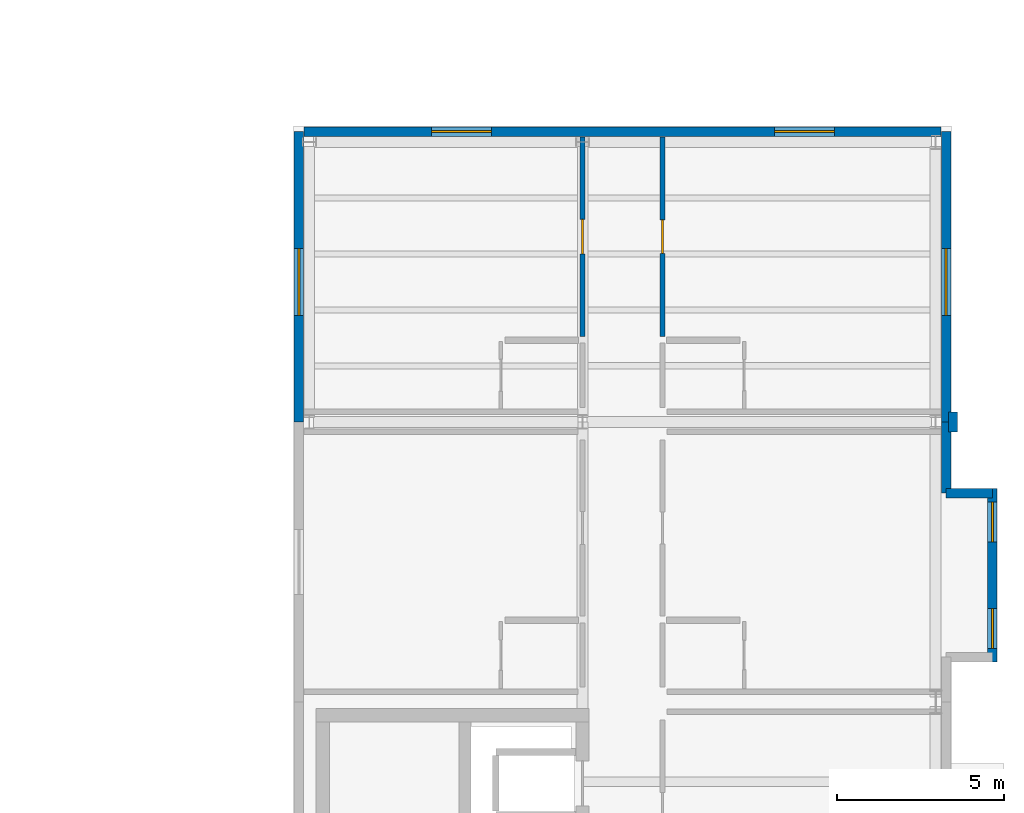
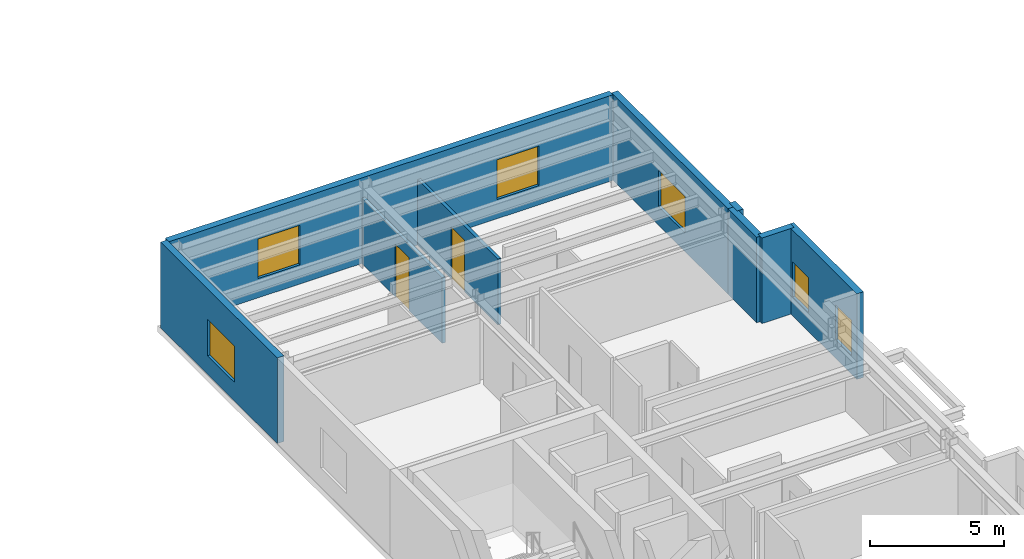
# One storey, part 39 of 46: 9 walls, 6 windows, 2 doors, 8 openings.
"""IFC4 building model written with IfcOpenShell, lengths in metres."""

from ifc_helpers import new_model, si_unit, direction, frame, frame_2d, origin, place, context, subcontext, project, spatial, rectangle, extrude, material, layer, layer_set, type_object, element, fill, save


model = new_model("IFC4")

# Units and contexts
model_context = context("Model", 3, precision=1e-05, world=origin(), true_north=direction((0.0, 1.0)))
body_context = subcontext(model_context, "Body", "Model", "MODEL_VIEW")
ifc_project = project(units=[si_unit("LENGTHUNIT", "METRE"), si_unit("AREAUNIT", "SQUARE_METRE"), si_unit("VOLUMEUNIT", "CUBIC_METRE"), si_unit("PLANEANGLEUNIT", "RADIAN"), si_unit("MASSUNIT", "GRAM", prefix="KILO")], contexts=[model_context])

# Site, building, storey
site_placement = place(None, origin())
site = spatial("IfcSite", under=ifc_project, at=site_placement, CompositionType="ELEMENT")
building_placement = place(site_placement, origin())
building = spatial("IfcBuilding", under=site, at=building_placement, Name="Sollismere Congress Hotel", CompositionType="ELEMENT")
storey_placement = place(building_placement, frame((0.0, 0.0, 19.5)))
storey = spatial("IfcBuildingStorey", under=building, at=storey_placement, Name="L04", CompositionType="ELEMENT", Elevation=19.5)

# Wall
ifc_material_1 = material(Name="Colorado Buff Sandstone Rainscreen on Insulated Backup", Category="masonry")
ifc_layer_1 = layer(ifc_material_1, 0.284912109375, Name="Colorado Buff Sandstone Rainscreen on Insulated Backup")
ifc_layer_set_1 = layer_set([ifc_layer_1], Name="Colorado Buff Sandstone Rainscreen on Insulated Backup")
wall_type_1 = type_object("IfcWallType", Name="WL-EXT285", PredefinedType="STANDARD", material=ifc_layer_set_1)
wall_1_placement = place(storey_placement, frame((166.31005859375, 56.260009765625, 0.0), z_axis=(0.0, 0.0, 1.0), x_axis=(0.0, 1.0, 0.0)))
element("IfcWall", 1, at=wall_1_placement, inside=storey, type_object=wall_type_1, Name="Exterior wall EW-L04-538", PredefinedType="STANDARD", context=body_context, shape_type="SweptSolid", body=[
    extrude(rectangle(XDim=2.139892578125, YDim=0.284912109375, at=frame_2d((1.06982421875, 0.0))), origin(), (0.0, 0.0, 1.0), 3.89990234375),
])

# Wall, openings, windows
wall_2_placement = place(storey_placement, frame((167.699951171875, 51.199951171875, 0.0), z_axis=(0.0, 0.0, 1.0), x_axis=(0.0, 1.0, 0.0)))
wall_2 = element("IfcWall", 2, at=wall_2_placement, inside=storey, type_object=wall_type_1, Name="Exterior wall EW-L04-539", PredefinedType="STANDARD", context=body_context, shape_type="SweptSolid", body=[
    extrude(rectangle(XDim=5.199951171875, YDim=0.284912109375, at=frame_2d((2.60009765625, 0.0))), origin(), (0.0, 0.0, 1.0), 3.89990234375),
])
opening_1_placement = place(wall_2_placement, frame((0.39990234375, 0.0, 0.85009765625)))
opening_1 = element("IfcOpeningElement", 3, at=opening_1_placement, cuts=wall_2, Name="Opening W-L04-403", PredefinedType="OPENING", context=body_context, shape_type="SweptSolid", body=[
    extrude(rectangle(XDim=1.199951171875, YDim=1.60009765625, at=frame_2d((0.60009765625, 0.800048828125))), frame((0.0, 0.15234375, 0.0), z_axis=(0.0, -1.0, 0.0), x_axis=(1.0, 0.0, 0.0)), (0.0, 0.0, 1.0), 0.304931640625),
])
opening_2_placement = place(wall_2_placement, frame((3.60009765625, 0.0, 0.85009765625)))
opening_2 = element("IfcOpeningElement", 4, at=opening_2_placement, cuts=wall_2, Name="Opening W-L04-404", PredefinedType="OPENING", context=body_context, shape_type="SweptSolid", body=[
    extrude(rectangle(XDim=1.199951171875, YDim=1.60009765625, at=frame_2d((0.60009765625, 0.800048828125))), frame((0.0, 0.15234375, 0.0), z_axis=(0.0, -1.0, 0.0), x_axis=(1.0, 0.0, 0.0)), (0.0, 0.0, 1.0), 0.304931640625),
])
ifc_material_2 = material(Name="Thermally Broken Bronze Aluminum & Low-E Glass", Category="aluminium")
window_type_1 = type_object("IfcWindowType", Name="WN-P120x160", PartitioningType="SINGLE_PANEL", PredefinedType="WINDOW", material=ifc_material_2)
window_1_placement = place(opening_1_placement, origin())
window_1 = element("IfcWindow", 5, at=window_1_placement, inside=storey, type_object=window_type_1, Name="WIN-W-L04-403", OverallHeight=1.60009765625, OverallWidth=1.199951171875, PartitioningType="SINGLE_PANEL", PredefinedType="WINDOW", context=body_context, shape_type="SweptSolid", body=[
    extrude(rectangle(XDim=1.199951171875, YDim=1.60009765625, at=frame_2d((0.60009765625, 0.800048828125))), frame((0.0, 0.030029296875, 0.0), z_axis=(0.0, -1.0, 0.0), x_axis=(1.0, 0.0, 0.0)), (0.0, 0.0, 1.0), 0.06005859375),
])
fill(opening_1, window_1)
window_2_placement = place(opening_2_placement, origin())
window_2 = element("IfcWindow", 6, at=window_2_placement, inside=storey, type_object=window_type_1, Name="WIN-W-L04-404", OverallHeight=1.60009765625, OverallWidth=1.199951171875, PartitioningType="SINGLE_PANEL", PredefinedType="WINDOW", context=body_context, shape_type="SweptSolid", body=[
    extrude(rectangle(XDim=1.199951171875, YDim=1.60009765625, at=frame_2d((0.60009765625, 0.800048828125))), frame((0.0, 0.030029296875, 0.0), z_axis=(0.0, -1.0, 0.0), x_axis=(1.0, 0.0, 0.0)), (0.0, 0.0, 1.0), 0.06005859375),
])
fill(opening_2, window_2)

# Wall
wall_3_placement = place(storey_placement, frame((167.699951171875, 56.260009765625, 0.0), z_axis=(0.0, 0.0, 1.0), x_axis=(-1.0, 0.0, 0.0)))
element("IfcWall", 7, at=wall_3_placement, inside=storey, type_object=wall_type_1, Name="Exterior wall EW-L04-541", PredefinedType="STANDARD", context=body_context, shape_type="SweptSolid", body=[
    extrude(rectangle(XDim=1.389892578125, YDim=0.284912109375, at=frame_2d((0.69482421875, 0.0))), origin(), (0.0, 0.0, 1.0), 3.89990234375),
])

# Wall, opening, window
wall_4_placement = place(storey_placement, frame((166.31005859375, 58.39990234375, 0.0), z_axis=(0.0, 0.0, 1.0), x_axis=(0.0, 1.0, 0.0)))
wall_4 = element("IfcWall", 8, at=wall_4_placement, inside=storey, type_object=wall_type_1, Name="Exterior wall EW-L04-542", PredefinedType="STANDARD", context=body_context, shape_type="SweptSolid", body=[
    extrude(rectangle(XDim=8.710205078125, YDim=0.284912109375, at=frame_2d((4.35498046875, 0.0))), origin(), (0.0, 0.0, 1.0), 3.89990234375),
])
opening_3_placement = place(wall_4_placement, frame((3.199951171875, 0.0, 0.85009765625)))
opening_3 = element("IfcOpeningElement", 9, at=opening_3_placement, cuts=wall_4, Name="Opening W-L04-405", PredefinedType="OPENING", context=body_context, shape_type="SweptSolid", body=[
    extrude(rectangle(XDim=2.0, YDim=1.64990234375, at=frame_2d((1.0, 0.824951171875))), frame((0.0, 0.15234375, 0.0), z_axis=(0.0, -1.0, 0.0), x_axis=(1.0, 0.0, 0.0)), (0.0, 0.0, 1.0), 0.304931640625),
])
window_type_2 = type_object("IfcWindowType", Name="WN-P200x165", PartitioningType="SINGLE_PANEL", PredefinedType="WINDOW", material=ifc_material_2)
window_3_placement = place(opening_3_placement, origin())
window_3 = element("IfcWindow", 10, at=window_3_placement, inside=storey, type_object=window_type_2, Name="WIN-W-L04-405", OverallHeight=1.64990234375, OverallWidth=2.0, PartitioningType="SINGLE_PANEL", PredefinedType="WINDOW", context=body_context, shape_type="SweptSolid", body=[
    extrude(rectangle(XDim=2.0, YDim=1.64990234375, at=frame_2d((1.0, 0.824951171875))), frame((0.0, 0.030029296875, 0.0), z_axis=(0.0, -1.0, 0.0), x_axis=(1.0, 0.0, 0.0)), (0.0, 0.0, 1.0), 0.06005859375),
])
fill(opening_3, window_3)

wall_5_placement = place(storey_placement, frame((146.889892578125, 58.39990234375, 0.0), z_axis=(0.0, 0.0, 1.0), x_axis=(0.0, 1.0, 0.0)))
wall_5 = element("IfcWall", 11, at=wall_5_placement, inside=storey, type_object=wall_type_1, Name="Exterior wall EW-L04-561", PredefinedType="STANDARD", context=body_context, shape_type="SweptSolid", body=[
    extrude(rectangle(XDim=8.710205078125, YDim=0.284912109375, at=frame_2d((4.35498046875, 0.0))), origin(), (0.0, 0.0, 1.0), 3.89990234375),
])
opening_4_placement = place(wall_5_placement, frame((3.199951171875, 0.0, 0.85009765625)))
opening_4 = element("IfcOpeningElement", 12, at=opening_4_placement, cuts=wall_5, Name="Opening W-L04-420", PredefinedType="OPENING", context=body_context, shape_type="SweptSolid", body=[
    extrude(rectangle(XDim=2.0, YDim=1.64990234375, at=frame_2d((1.0, 0.824951171875))), frame((0.0, 0.15234375, 0.0), z_axis=(0.0, -1.0, 0.0), x_axis=(1.0, 0.0, 0.0)), (0.0, 0.0, 1.0), 0.304931640625),
])
window_4_placement = place(opening_4_placement, origin())
window_4 = element("IfcWindow", 13, at=window_4_placement, inside=storey, type_object=window_type_2, Name="WIN-W-L04-420", OverallHeight=1.64990234375, OverallWidth=2.0, PartitioningType="SINGLE_PANEL", PredefinedType="WINDOW", context=body_context, shape_type="SweptSolid", body=[
    extrude(rectangle(XDim=2.0, YDim=1.64990234375, at=frame_2d((1.0, 0.824951171875))), frame((0.0, 0.030029296875, 0.0), z_axis=(0.0, -1.0, 0.0), x_axis=(1.0, 0.0, 0.0)), (0.0, 0.0, 1.0), 0.06005859375),
])
fill(opening_4, window_4)

# Wall, openings, windows
wall_6_placement = place(storey_placement, frame((166.16552734375, 67.110107421875, 0.0), z_axis=(0.0, 0.0, 1.0), x_axis=(-1.0, 0.0, 0.0)))
wall_6 = element("IfcWall", 14, at=wall_6_placement, inside=storey, type_object=wall_type_1, Name="Exterior wall EW-L04-564", PredefinedType="STANDARD", context=body_context, shape_type="SweptSolid", body=[
    extrude(rectangle(XDim=19.131103515625, YDim=0.284912109375, at=frame_2d((9.5654296875, 0.0))), origin(), (0.0, 0.0, 1.0), 3.89990234375),
])
opening_5_placement = place(wall_6_placement, frame((3.199951171875, 0.0, 0.8798828125)))
opening_5 = element("IfcOpeningElement", 15, at=opening_5_placement, cuts=wall_6, Name="Opening W-L04-423", PredefinedType="OPENING", context=body_context, shape_type="SweptSolid", body=[
    extrude(rectangle(XDim=1.800048828125, YDim=1.800048828125, at=frame_2d((0.89990234375, 0.89990234375))), frame((0.0, 0.15234375, 0.0), z_axis=(0.0, -1.0, 0.0), x_axis=(1.0, 0.0, 0.0)), (0.0, 0.0, 1.0), 0.304931640625),
])
opening_6_placement = place(wall_6_placement, frame((13.5, 0.0, 0.8798828125)))
opening_6 = element("IfcOpeningElement", 16, at=opening_6_placement, cuts=wall_6, Name="Opening W-L04-424", PredefinedType="OPENING", context=body_context, shape_type="SweptSolid", body=[
    extrude(rectangle(XDim=1.800048828125, YDim=1.800048828125, at=frame_2d((0.89990234375, 0.89990234375))), frame((0.0, 0.15234375, 0.0), z_axis=(0.0, -1.0, 0.0), x_axis=(1.0, 0.0, 0.0)), (0.0, 0.0, 1.0), 0.304931640625),
])
window_type_3 = type_object("IfcWindowType", Name="WN-P180x180", PartitioningType="SINGLE_PANEL", PredefinedType="WINDOW", material=ifc_material_2)
window_5_placement = place(opening_5_placement, origin())
window_5 = element("IfcWindow", 17, at=window_5_placement, inside=storey, type_object=window_type_3, Name="WIN-W-L04-423", OverallHeight=1.800048828125, OverallWidth=1.800048828125, PartitioningType="SINGLE_PANEL", PredefinedType="WINDOW", context=body_context, shape_type="SweptSolid", body=[
    extrude(rectangle(XDim=1.800048828125, YDim=1.800048828125, at=frame_2d((0.89990234375, 0.89990234375))), frame((0.0, 0.030029296875, 0.0), z_axis=(0.0, -1.0, 0.0), x_axis=(1.0, 0.0, 0.0)), (0.0, 0.0, 1.0), 0.06005859375),
])
fill(opening_5, window_5)
window_6_placement = place(opening_6_placement, origin())
window_6 = element("IfcWindow", 18, at=window_6_placement, inside=storey, type_object=window_type_3, Name="WIN-W-L04-424", OverallHeight=1.800048828125, OverallWidth=1.800048828125, PartitioningType="SINGLE_PANEL", PredefinedType="WINDOW", context=body_context, shape_type="SweptSolid", body=[
    extrude(rectangle(XDim=1.800048828125, YDim=1.800048828125, at=frame_2d((0.89990234375, 0.89990234375))), frame((0.0, 0.030029296875, 0.0), z_axis=(0.0, -1.0, 0.0), x_axis=(1.0, 0.0, 0.0)), (0.0, 0.0, 1.0), 0.06005859375),
])
fill(opening_6, window_6)

# Wall
ifc_material_3 = material(Name="Carved Travertine Pilaster & Frieze Assembly", Category="masonry")
ifc_layer_2 = layer(ifc_material_3, 0.260009765625, Name="Carved Travertine Pilaster & Frieze Assembly")
ifc_layer_set_2 = layer_set([ifc_layer_2], Name="Carved Travertine Pilaster & Frieze Assembly")
wall_type_2 = type_object("IfcWallType", Name="WL-PIL280", PredefinedType="ELEMENTEDWALL", material=ifc_layer_set_2)
wall_7_placement = place(storey_placement, frame((166.52001953125, 58.10009765625, 0.0), z_axis=(0.0, 0.0, 1.0), x_axis=(0.0, 1.0, 0.0)))
element("IfcWall", 19, at=wall_7_placement, inside=storey, type_object=wall_type_2, Name="Exterior wall EW-L04-543", PredefinedType="ELEMENTEDWALL", context=body_context, shape_type="SweptSolid", body=[
    extrude(rectangle(XDim=0.599853515625, YDim=0.260009765625, at=frame_2d((0.2998046875, 0.0))), origin(), (0.0, 0.0, 1.0), 3.89990234375),
])

# Wall, opening, door
ifc_material_4 = material(Name="Fire-Rated Gypsum Partition")
ifc_layer_3 = layer(ifc_material_4, 0.139892578125, Name="Fire-Rated Gypsum Partition")
ifc_layer_set_3 = layer_set([ifc_layer_3], Name="Fire-Rated Gypsum Partition")
wall_type_3 = type_object("IfcWallType", Name="WL-PRT140R", PredefinedType="PARTITIONING", material=ifc_layer_set_3)
wall_8_placement = place(storey_placement, frame((157.800048828125, 60.969970703125, 0.0), z_axis=(0.0, 0.0, 1.0), x_axis=(0.0, 1.0, 0.0)))
wall_8 = element("IfcWall", 20, at=wall_8_placement, inside=storey, type_object=wall_type_3, Name="Interior wall IW-L04-1700", PredefinedType="PARTITIONING", context=body_context, shape_type="SweptSolid", body=[
    extrude(rectangle(XDim=5.982421875, YDim=0.139892578125, at=frame_2d((2.9912109375, 0.0))), origin(), (0.0, 0.0, 1.0), 2.998046875),
])
opening_7_placement = place(wall_8_placement, frame((2.486083984375, 0.0, 0.0)))
opening_7 = element("IfcOpeningElement", 21, at=opening_7_placement, cuts=wall_8, Name="Opening D-L04-0599", PredefinedType="OPENING", context=body_context, shape_type="SweptSolid", body=[
    extrude(rectangle(XDim=1.010009765625, YDim=2.35009765625, at=frame_2d((0.5048828125, 1.175048828125))), frame((0.0, 0.079833984375, 0.0), z_axis=(0.0, -1.0, 0.0), x_axis=(1.0, 0.0, 0.0)), (0.0, 0.0, 1.0), 0.159912109375),
])
ifc_material_5 = material(Name="Solid-Core Acoustic Walnut Guestroom Entry Door")
door_type_1 = type_object("IfcDoorType", Name="DR-KY10", OperationType="NOTDEFINED", PredefinedType="DOOR", material=ifc_material_5)
door_1_placement = place(opening_7_placement, origin())
door_1 = element("IfcDoor", 22, at=door_1_placement, inside=storey, type_object=door_type_1, Name="Hotel room entry door D-L04-0599", OperationType="SINGLE_SWING_RIGHT", OverallHeight=2.35009765625, OverallWidth=1.010009765625, PredefinedType="DOOR", context=body_context, shape_type="SweptSolid", body=[
    extrude(rectangle(XDim=1.010009765625, YDim=2.35009765625, at=frame_2d((0.5048828125, 1.175048828125))), frame((0.0, 0.02490234375, 0.0), z_axis=(0.0, -1.0, 0.0), x_axis=(1.0, 0.0, 0.0)), (0.0, 0.0, 1.0), 0.050048828125),
])
fill(opening_7, door_1)

wall_9_placement = place(storey_placement, frame((155.39990234375, 60.969970703125, 0.0), z_axis=(0.0, 0.0, 1.0), x_axis=(0.0, 1.0, 0.0)))
wall_9 = element("IfcWall", 23, at=wall_9_placement, inside=storey, type_object=wall_type_3, Name="Interior wall IW-L04-1705", PredefinedType="PARTITIONING", context=body_context, shape_type="SweptSolid", body=[
    extrude(rectangle(XDim=5.982421875, YDim=0.139892578125, at=frame_2d((2.9912109375, 0.0))), origin(), (0.0, 0.0, 1.0), 2.998046875),
])
opening_8_placement = place(wall_9_placement, frame((2.470947265625, 0.0, 0.0)))
opening_8 = element("IfcOpeningElement", 24, at=opening_8_placement, cuts=wall_9, Name="Opening D-L04-0601", PredefinedType="OPENING", context=body_context, shape_type="SweptSolid", body=[
    extrude(rectangle(XDim=1.0400390625, YDim=2.39990234375, at=frame_2d((0.52001953125, 1.199951171875))), frame((0.0, 0.079833984375, 0.0), z_axis=(0.0, -1.0, 0.0), x_axis=(1.0, 0.0, 0.0)), (0.0, 0.0, 1.0), 0.159912109375),
])
door_type_2 = type_object("IfcDoorType", Name="DR-KY11", OperationType="NOTDEFINED", PredefinedType="DOOR", material=ifc_material_5)
door_2_placement = place(opening_8_placement, origin())
door_2 = element("IfcDoor", 25, at=door_2_placement, inside=storey, type_object=door_type_2, Name="Hotel room entry door D-L04-0601", OperationType="SINGLE_SWING_RIGHT", OverallHeight=2.39990234375, OverallWidth=1.0400390625, PredefinedType="DOOR", context=body_context, shape_type="SweptSolid", body=[
    extrude(rectangle(XDim=1.0400390625, YDim=2.39990234375, at=frame_2d((0.52001953125, 1.199951171875))), frame((0.0, 0.02490234375, 0.0), z_axis=(0.0, -1.0, 0.0), x_axis=(1.0, 0.0, 0.0)), (0.0, 0.0, 1.0), 0.050048828125),
])
fill(opening_8, door_2)

save(model, "model.ifc")
